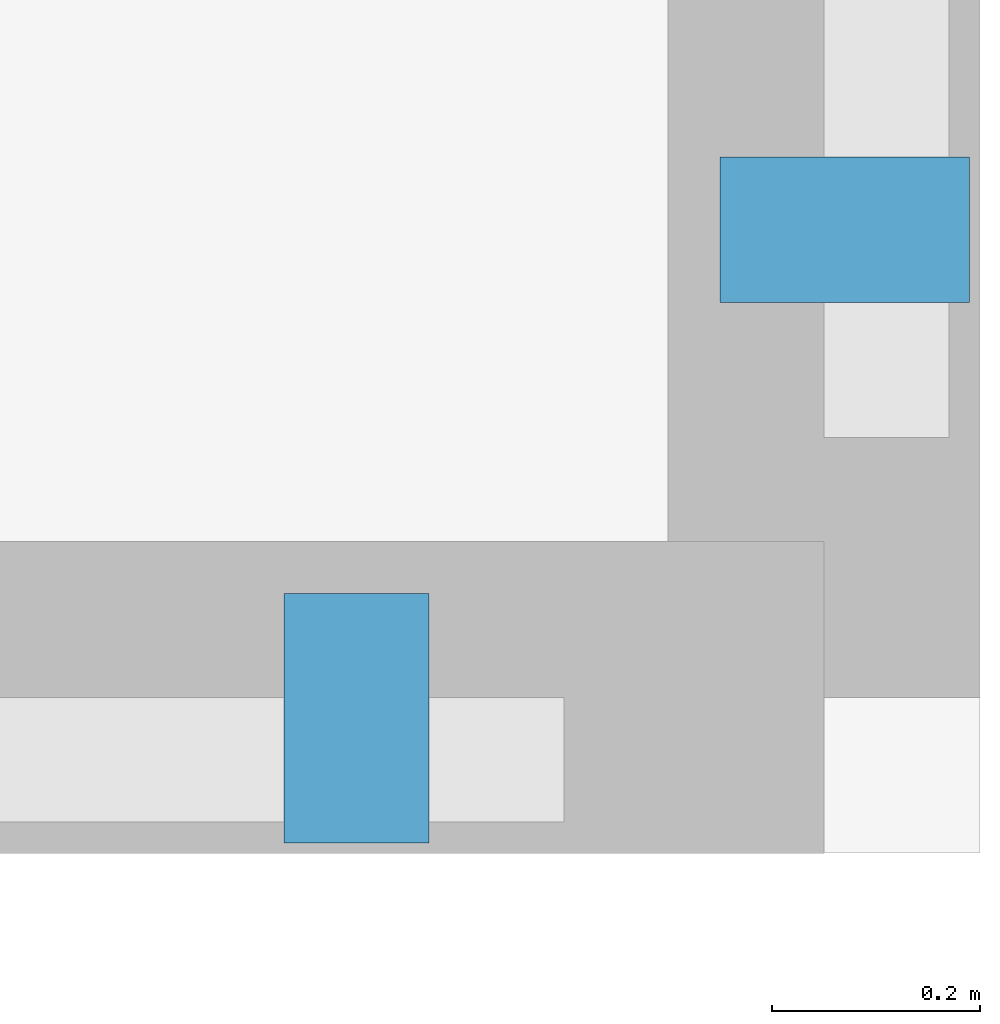
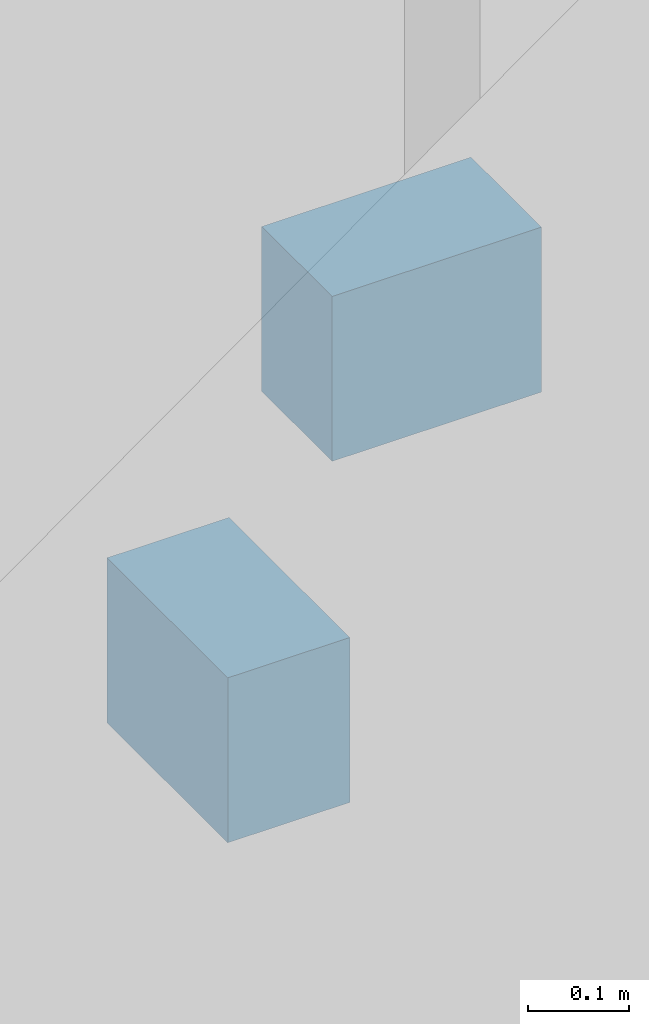
# One storey, part 17 of 21: 2 discrete accessories.
"""IFC4 building model written with IfcOpenShell, lengths in metres."""

from ifc_helpers import new_model, si_unit, direction, frame, origin, origin_2d, place, context, subcontext, project, spatial, rectangle, extrude, material, type_object, element, save


model = new_model("IFC4")

# Units and contexts
model_context = context("Model", 3, precision=1e-05, world=origin(), true_north=direction((0.0, 1.0)))
body_context = subcontext(model_context, "Body", "Model", "MODEL_VIEW")
ifc_project = project(units=[si_unit("LENGTHUNIT", "METRE"), si_unit("AREAUNIT", "SQUARE_METRE"), si_unit("VOLUMEUNIT", "CUBIC_METRE"), si_unit("PLANEANGLEUNIT", "RADIAN"), si_unit("MASSUNIT", "GRAM", prefix="KILO")], contexts=[model_context])

# Site, building, storey
site_placement = place(None, origin())
site = spatial("IfcSite", under=ifc_project, at=site_placement, CompositionType="ELEMENT")
building_placement = place(site_placement, origin())
building = spatial("IfcBuilding", under=site, at=building_placement, Name="Tarnavaz Court Tower", CompositionType="ELEMENT")
storey_placement = place(building_placement, frame((0.0, 0.0, 37.39990234375)))
storey = spatial("IfcBuildingStorey", under=building, at=storey_placement, Name="L09", CompositionType="ELEMENT", Elevation=37.39990234375)

# Discrete accessories
ifc_material = material(Name="Anodised Aluminium 6063-T6", Category="aluminium")
discrete_accessory_type = type_object("IfcDiscreteAccessoryType", Name="DA-BRKT-ALU", PredefinedType="BRACKET", material=ifc_material)
for number, where, z_axis, x_axis, name in (
    (1, (28.669921875, -18.60009765625, 1.75), (0.0, 0.0, 1.0), (0.0, -1.0, 0.0), "L09 Baguette Outrigger Bracket FBG12-2"),
    (2, (28.199951171875, -19.070068359375, 1.75), (0.0, 0.0, 1.0), (-1.0, 0.0, 0.0), "L09 Baguette Outrigger Bracket FBG13-1"),
):
    element("IfcDiscreteAccessory", number, at=place(storey_placement, frame(where, z_axis=z_axis, x_axis=x_axis)), inside=storey, type_object=discrete_accessory_type, Name=name, PredefinedType="BRACKET", context=body_context, shape_type="SweptSolid", body=[
        extrude(rectangle(XDim=0.139892578125, YDim=0.239990234375, at=origin_2d()), origin(), (0.0, 0.0, 1.0), 0.199951171875),
    ])

save(model, "model.ifc")
